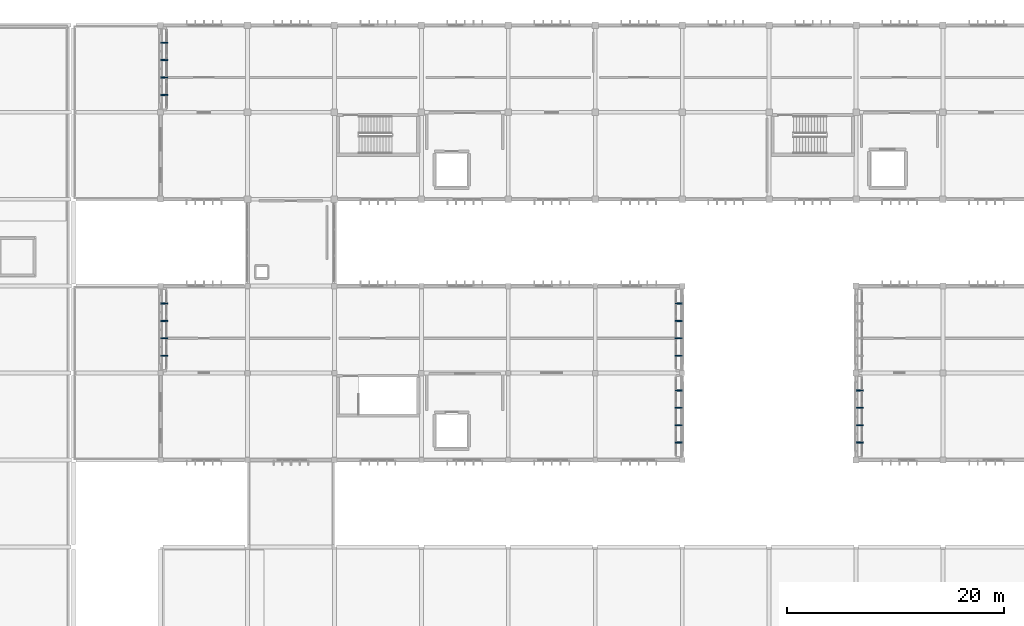
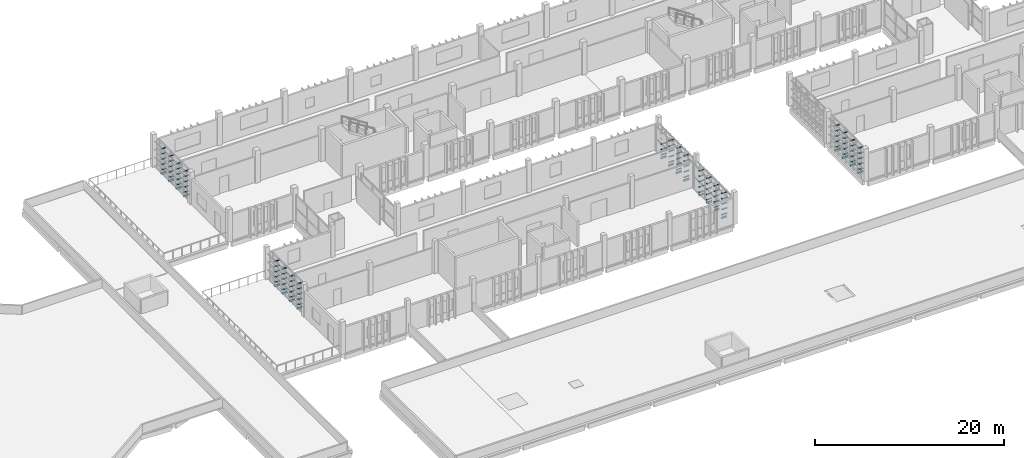
# One storey, part 41 of 48: 118 discrete accessories.
"""IFC4 building model written with IfcOpenShell, lengths in metres."""

from ifc_helpers import new_model, si_unit, direction, frame, origin, origin_2d, place, context, subcontext, project, spatial, rectangle, extrude, material, type_object, element, save


model = new_model("IFC4")

# Units and contexts
model_context = context("Model", 3, precision=1e-05, world=origin(), true_north=direction((0.0, 1.0)))
body_context = subcontext(model_context, "Body", "Model", "MODEL_VIEW")
ifc_project = project(units=[si_unit("LENGTHUNIT", "METRE"), si_unit("AREAUNIT", "SQUARE_METRE"), si_unit("VOLUMEUNIT", "CUBIC_METRE"), si_unit("PLANEANGLEUNIT", "RADIAN"), si_unit("MASSUNIT", "GRAM", prefix="KILO")], contexts=[model_context])

# Site, building, storey
site_placement = place(None, origin())
site = spatial("IfcSite", under=ifc_project, at=site_placement, CompositionType="ELEMENT")
building_placement = place(site_placement, origin())
building = spatial("IfcBuilding", under=site, at=building_placement, Name="Jelvoka-Kovrelna Polytechnic", CompositionType="ELEMENT")
storey_placement = place(building_placement, frame((0.0, 0.0, 22.199951171875)))
storey = spatial("IfcBuildingStorey", under=building, at=storey_placement, Name="L06", CompositionType="ELEMENT", Elevation=22.199951171875)

# Discrete accessories
ifc_material = material(Name="Structural steel S355JR", Category="steel")
discrete_accessory_type = type_object("IfcDiscreteAccessoryType", Name="Bracket_Outrigger_S355", PredefinedType="BRACKET", material=ifc_material)
discrete_accessory_1_placement = place(storey_placement, frame((64.320068359375, 41.60009765625, 0.340087890625), z_axis=(0.0, 0.0, 1.0), x_axis=(1.0, 0.0, 0.0)))
element("IfcDiscreteAccessory", 1, at=discrete_accessory_1_placement, inside=storey, type_object=discrete_accessory_type, Name="L06 screen outrigger tie bracket BRKM-PLT-SCR-0361", PredefinedType="BRACKET", context=body_context, shape_type="SweptSolid", body=[
    extrude(rectangle(XDim=0.639892578125, YDim=0.080078125, at=origin_2d()), origin(), (0.0, 0.0, 1.0), 0.080078125),
])
discrete_accessory_2_placement = place(storey_placement, frame((64.340087890625, 41.60009765625, -0.199951171875), z_axis=(0.0, 0.0, 1.0), x_axis=(1.0, 0.0, 0.0)))
element("IfcDiscreteAccessory", 2, at=discrete_accessory_2_placement, inside=storey, type_object=discrete_accessory_type, Name="L06 screen outrigger tie bracket BRK-PLT-SCR-0361", PredefinedType="BRACKET", context=body_context, shape_type="SweptSolid", body=[
    extrude(rectangle(XDim=0.679931640625, YDim=0.1201171875, at=origin_2d()), origin(), (0.0, 0.0, 1.0), 0.239990234375),
])
for number, where, z_axis, x_axis, name in (
    (3, (64.320068359375, 41.60009765625, 1.017578125), (0.0, 0.0, 1.0), (1.0, 0.0, 0.0), "L06 screen outrigger tie bracket BRKM-PLT-SCR-0362"),
    (4, (64.320068359375, 41.60009765625, 1.695068359375), (0.0, 0.0, 1.0), (1.0, 0.0, 0.0), "L06 screen outrigger tie bracket BRKM-PLT-SCR-0363"),
    (5, (64.320068359375, 41.60009765625, 2.37255859375), (0.0, 0.0, 1.0), (1.0, 0.0, 0.0), "L06 screen outrigger tie bracket BRKM-PLT-SCR-0364"),
    (6, (64.320068359375, 41.60009765625, 3.050048828125), (0.0, 0.0, 1.0), (1.0, 0.0, 0.0), "L06 screen outrigger tie bracket BRKM-PLT-SCR-0365"),
    (7, (64.320068359375, 43.199951171875, 0.340087890625), (0.0, 0.0, 1.0), (1.0, 0.0, 0.0), "L06 screen outrigger tie bracket BRKM-PLT-SCR-0366"),
):
    element("IfcDiscreteAccessory", number, at=place(storey_placement, frame(where, z_axis=z_axis, x_axis=x_axis)), inside=storey, type_object=discrete_accessory_type, Name=name, PredefinedType="BRACKET", context=body_context, shape_type="SweptSolid", body=[
        extrude(rectangle(XDim=0.639892578125, YDim=0.080078125, at=origin_2d()), origin(), (0.0, 0.0, 1.0), 0.080078125),
    ])
discrete_accessory_3_placement = place(storey_placement, frame((64.340087890625, 43.199951171875, -0.199951171875), z_axis=(0.0, 0.0, 1.0), x_axis=(1.0, 0.0, 0.0)))
element("IfcDiscreteAccessory", 8, at=discrete_accessory_3_placement, inside=storey, type_object=discrete_accessory_type, Name="L06 screen outrigger tie bracket BRK-PLT-SCR-0366", PredefinedType="BRACKET", context=body_context, shape_type="SweptSolid", body=[
    extrude(rectangle(XDim=0.679931640625, YDim=0.1201171875, at=origin_2d()), origin(), (0.0, 0.0, 1.0), 0.239990234375),
])
for number, where, z_axis, x_axis, name in (
    (9, (64.320068359375, 43.199951171875, 1.017578125), (0.0, 0.0, 1.0), (1.0, 0.0, 0.0), "L06 screen outrigger tie bracket BRKM-PLT-SCR-0367"),
    (10, (64.320068359375, 43.199951171875, 1.695068359375), (0.0, 0.0, 1.0), (1.0, 0.0, 0.0), "L06 screen outrigger tie bracket BRKM-PLT-SCR-0368"),
    (11, (64.320068359375, 43.199951171875, 2.37255859375), (0.0, 0.0, 1.0), (1.0, 0.0, 0.0), "L06 screen outrigger tie bracket BRKM-PLT-SCR-0369"),
    (12, (64.320068359375, 43.199951171875, 3.050048828125), (0.0, 0.0, 1.0), (1.0, 0.0, 0.0), "L06 screen outrigger tie bracket BRKM-PLT-SCR-0370"),
    (13, (64.320068359375, 44.800048828125, 0.340087890625), (0.0, 0.0, 1.0), (1.0, 0.0, 0.0), "L06 screen outrigger tie bracket BRKM-PLT-SCR-0371"),
):
    element("IfcDiscreteAccessory", number, at=place(storey_placement, frame(where, z_axis=z_axis, x_axis=x_axis)), inside=storey, type_object=discrete_accessory_type, Name=name, PredefinedType="BRACKET", context=body_context, shape_type="SweptSolid", body=[
        extrude(rectangle(XDim=0.639892578125, YDim=0.080078125, at=origin_2d()), origin(), (0.0, 0.0, 1.0), 0.080078125),
    ])
discrete_accessory_4_placement = place(storey_placement, frame((64.340087890625, 44.800048828125, -0.199951171875), z_axis=(0.0, 0.0, 1.0), x_axis=(1.0, 0.0, 0.0)))
element("IfcDiscreteAccessory", 14, at=discrete_accessory_4_placement, inside=storey, type_object=discrete_accessory_type, Name="L06 screen outrigger tie bracket BRK-PLT-SCR-0371", PredefinedType="BRACKET", context=body_context, shape_type="SweptSolid", body=[
    extrude(rectangle(XDim=0.679931640625, YDim=0.1201171875, at=origin_2d()), origin(), (0.0, 0.0, 1.0), 0.239990234375),
])
for number, where, z_axis, x_axis, name in (
    (15, (64.320068359375, 44.800048828125, 1.017578125), (0.0, 0.0, 1.0), (1.0, 0.0, 0.0), "L06 screen outrigger tie bracket BRKM-PLT-SCR-0372"),
    (16, (64.320068359375, 44.800048828125, 1.695068359375), (0.0, 0.0, 1.0), (1.0, 0.0, 0.0), "L06 screen outrigger tie bracket BRKM-PLT-SCR-0373"),
    (17, (64.320068359375, 44.800048828125, 2.37255859375), (0.0, 0.0, 1.0), (1.0, 0.0, 0.0), "L06 screen outrigger tie bracket BRKM-PLT-SCR-0374"),
    (18, (64.320068359375, 44.800048828125, 3.050048828125), (0.0, 0.0, 1.0), (1.0, 0.0, 0.0), "L06 screen outrigger tie bracket BRKM-PLT-SCR-0375"),
    (19, (64.320068359375, 46.39990234375, 0.340087890625), (0.0, 0.0, 1.0), (1.0, 0.0, 0.0), "L06 screen outrigger tie bracket BRKM-PLT-SCR-0376"),
):
    element("IfcDiscreteAccessory", number, at=place(storey_placement, frame(where, z_axis=z_axis, x_axis=x_axis)), inside=storey, type_object=discrete_accessory_type, Name=name, PredefinedType="BRACKET", context=body_context, shape_type="SweptSolid", body=[
        extrude(rectangle(XDim=0.639892578125, YDim=0.080078125, at=origin_2d()), origin(), (0.0, 0.0, 1.0), 0.080078125),
    ])
discrete_accessory_5_placement = place(storey_placement, frame((64.340087890625, 46.39990234375, -0.199951171875), z_axis=(0.0, 0.0, 1.0), x_axis=(1.0, 0.0, 0.0)))
element("IfcDiscreteAccessory", 20, at=discrete_accessory_5_placement, inside=storey, type_object=discrete_accessory_type, Name="L06 screen outrigger tie bracket BRK-PLT-SCR-0376", PredefinedType="BRACKET", context=body_context, shape_type="SweptSolid", body=[
    extrude(rectangle(XDim=0.679931640625, YDim=0.1201171875, at=origin_2d()), origin(), (0.0, 0.0, 1.0), 0.239990234375),
])
for number, where, z_axis, x_axis, name in (
    (21, (64.320068359375, 46.39990234375, 1.017578125), (0.0, 0.0, 1.0), (1.0, 0.0, 0.0), "L06 screen outrigger tie bracket BRKM-PLT-SCR-0377"),
    (22, (64.320068359375, 46.39990234375, 1.695068359375), (0.0, 0.0, 1.0), (1.0, 0.0, 0.0), "L06 screen outrigger tie bracket BRKM-PLT-SCR-0378"),
    (23, (64.320068359375, 46.39990234375, 2.37255859375), (0.0, 0.0, 1.0), (1.0, 0.0, 0.0), "L06 screen outrigger tie bracket BRKM-PLT-SCR-0379"),
    (24, (64.320068359375, 46.39990234375, 3.050048828125), (0.0, 0.0, 1.0), (1.0, 0.0, 0.0), "L06 screen outrigger tie bracket BRKM-PLT-SCR-0380"),
    (25, (111.679931640625, 33.60009765625, 0.280029296875), (0.0, 0.0, 1.0), (1.0, 0.0, 0.0), "L06 screen outrigger tie bracket BRKM-PLT-SCR-0381"),
):
    element("IfcDiscreteAccessory", number, at=place(storey_placement, frame(where, z_axis=z_axis, x_axis=x_axis)), inside=storey, type_object=discrete_accessory_type, Name=name, PredefinedType="BRACKET", context=body_context, shape_type="SweptSolid", body=[
        extrude(rectangle(XDim=0.639892578125, YDim=0.080078125, at=origin_2d()), origin(), (0.0, 0.0, 1.0), 0.080078125),
    ])
discrete_accessory_6_placement = place(storey_placement, frame((111.659912109375, 33.60009765625, -0.199951171875), z_axis=(0.0, 0.0, 1.0), x_axis=(1.0, 0.0, 0.0)))
element("IfcDiscreteAccessory", 26, at=discrete_accessory_6_placement, inside=storey, type_object=discrete_accessory_type, Name="L06 screen outrigger tie bracket BRK-PLT-SCR-0381", PredefinedType="BRACKET", context=body_context, shape_type="SweptSolid", body=[
    extrude(rectangle(XDim=0.679931640625, YDim=0.1201171875, at=origin_2d()), origin(), (0.0, 0.0, 1.0), 0.239990234375),
])
for number, where, z_axis, x_axis, name in (
    (27, (111.679931640625, 33.60009765625, 0.972412109375), (0.0, 0.0, 1.0), (1.0, 0.0, 0.0), "L06 screen outrigger tie bracket BRKM-PLT-SCR-0382"),
    (28, (111.679931640625, 33.60009765625, 1.6650390625), (0.0, 0.0, 1.0), (1.0, 0.0, 0.0), "L06 screen outrigger tie bracket BRKM-PLT-SCR-0383"),
    (29, (111.679931640625, 33.60009765625, 2.357421875), (0.0, 0.0, 1.0), (1.0, 0.0, 0.0), "L06 screen outrigger tie bracket BRKM-PLT-SCR-0384"),
    (30, (111.679931640625, 33.60009765625, 3.050048828125), (0.0, 0.0, 1.0), (1.0, 0.0, 0.0), "L06 screen outrigger tie bracket BRKM-PLT-SCR-0385"),
    (31, (111.679931640625, 35.199951171875, 0.280029296875), (0.0, 0.0, 1.0), (1.0, 0.0, 0.0), "L06 screen outrigger tie bracket BRKM-PLT-SCR-0386"),
):
    element("IfcDiscreteAccessory", number, at=place(storey_placement, frame(where, z_axis=z_axis, x_axis=x_axis)), inside=storey, type_object=discrete_accessory_type, Name=name, PredefinedType="BRACKET", context=body_context, shape_type="SweptSolid", body=[
        extrude(rectangle(XDim=0.639892578125, YDim=0.080078125, at=origin_2d()), origin(), (0.0, 0.0, 1.0), 0.080078125),
    ])
discrete_accessory_7_placement = place(storey_placement, frame((111.659912109375, 35.199951171875, -0.199951171875), z_axis=(0.0, 0.0, 1.0), x_axis=(1.0, 0.0, 0.0)))
element("IfcDiscreteAccessory", 32, at=discrete_accessory_7_placement, inside=storey, type_object=discrete_accessory_type, Name="L06 screen outrigger tie bracket BRK-PLT-SCR-0386", PredefinedType="BRACKET", context=body_context, shape_type="SweptSolid", body=[
    extrude(rectangle(XDim=0.679931640625, YDim=0.1201171875, at=origin_2d()), origin(), (0.0, 0.0, 1.0), 0.239990234375),
])
for number, where, z_axis, x_axis, name in (
    (33, (111.679931640625, 35.199951171875, 0.972412109375), (0.0, 0.0, 1.0), (1.0, 0.0, 0.0), "L06 screen outrigger tie bracket BRKM-PLT-SCR-0387"),
    (34, (111.679931640625, 35.199951171875, 1.6650390625), (0.0, 0.0, 1.0), (1.0, 0.0, 0.0), "L06 screen outrigger tie bracket BRKM-PLT-SCR-0388"),
    (35, (111.679931640625, 35.199951171875, 2.357421875), (0.0, 0.0, 1.0), (1.0, 0.0, 0.0), "L06 screen outrigger tie bracket BRKM-PLT-SCR-0389"),
    (36, (111.679931640625, 35.199951171875, 3.050048828125), (0.0, 0.0, 1.0), (1.0, 0.0, 0.0), "L06 screen outrigger tie bracket BRKM-PLT-SCR-0390"),
    (37, (111.679931640625, 36.800048828125, 0.280029296875), (0.0, 0.0, 1.0), (1.0, 0.0, 0.0), "L06 screen outrigger tie bracket BRKM-PLT-SCR-0391"),
):
    element("IfcDiscreteAccessory", number, at=place(storey_placement, frame(where, z_axis=z_axis, x_axis=x_axis)), inside=storey, type_object=discrete_accessory_type, Name=name, PredefinedType="BRACKET", context=body_context, shape_type="SweptSolid", body=[
        extrude(rectangle(XDim=0.639892578125, YDim=0.080078125, at=origin_2d()), origin(), (0.0, 0.0, 1.0), 0.080078125),
    ])
discrete_accessory_8_placement = place(storey_placement, frame((111.659912109375, 36.800048828125, -0.199951171875), z_axis=(0.0, 0.0, 1.0), x_axis=(1.0, 0.0, 0.0)))
element("IfcDiscreteAccessory", 38, at=discrete_accessory_8_placement, inside=storey, type_object=discrete_accessory_type, Name="L06 screen outrigger tie bracket BRK-PLT-SCR-0391", PredefinedType="BRACKET", context=body_context, shape_type="SweptSolid", body=[
    extrude(rectangle(XDim=0.679931640625, YDim=0.1201171875, at=origin_2d()), origin(), (0.0, 0.0, 1.0), 0.239990234375),
])
for number, where, z_axis, x_axis, name in (
    (39, (111.679931640625, 36.800048828125, 0.972412109375), (0.0, 0.0, 1.0), (1.0, 0.0, 0.0), "L06 screen outrigger tie bracket BRKM-PLT-SCR-0392"),
    (40, (111.679931640625, 36.800048828125, 1.6650390625), (0.0, 0.0, 1.0), (1.0, 0.0, 0.0), "L06 screen outrigger tie bracket BRKM-PLT-SCR-0393"),
    (41, (111.679931640625, 36.800048828125, 2.357421875), (0.0, 0.0, 1.0), (1.0, 0.0, 0.0), "L06 screen outrigger tie bracket BRKM-PLT-SCR-0394"),
    (42, (111.679931640625, 36.800048828125, 3.050048828125), (0.0, 0.0, 1.0), (1.0, 0.0, 0.0), "L06 screen outrigger tie bracket BRKM-PLT-SCR-0395"),
    (43, (111.679931640625, 38.39990234375, 0.280029296875), (0.0, 0.0, 1.0), (1.0, 0.0, 0.0), "L06 screen outrigger tie bracket BRKM-PLT-SCR-0396"),
):
    element("IfcDiscreteAccessory", number, at=place(storey_placement, frame(where, z_axis=z_axis, x_axis=x_axis)), inside=storey, type_object=discrete_accessory_type, Name=name, PredefinedType="BRACKET", context=body_context, shape_type="SweptSolid", body=[
        extrude(rectangle(XDim=0.639892578125, YDim=0.080078125, at=origin_2d()), origin(), (0.0, 0.0, 1.0), 0.080078125),
    ])
discrete_accessory_9_placement = place(storey_placement, frame((111.659912109375, 38.39990234375, -0.199951171875), z_axis=(0.0, 0.0, 1.0), x_axis=(1.0, 0.0, 0.0)))
element("IfcDiscreteAccessory", 44, at=discrete_accessory_9_placement, inside=storey, type_object=discrete_accessory_type, Name="L06 screen outrigger tie bracket BRK-PLT-SCR-0396", PredefinedType="BRACKET", context=body_context, shape_type="SweptSolid", body=[
    extrude(rectangle(XDim=0.679931640625, YDim=0.1201171875, at=origin_2d()), origin(), (0.0, 0.0, 1.0), 0.239990234375),
])
for number, where, z_axis, x_axis, name in (
    (45, (111.679931640625, 38.39990234375, 0.972412109375), (0.0, 0.0, 1.0), (1.0, 0.0, 0.0), "L06 screen outrigger tie bracket BRKM-PLT-SCR-0397"),
    (46, (111.679931640625, 38.39990234375, 1.6650390625), (0.0, 0.0, 1.0), (1.0, 0.0, 0.0), "L06 screen outrigger tie bracket BRKM-PLT-SCR-0398"),
    (47, (111.679931640625, 38.39990234375, 2.357421875), (0.0, 0.0, 1.0), (1.0, 0.0, 0.0), "L06 screen outrigger tie bracket BRKM-PLT-SCR-0399"),
    (48, (111.679931640625, 38.39990234375, 3.050048828125), (0.0, 0.0, 1.0), (1.0, 0.0, 0.0), "L06 screen outrigger tie bracket BRKM-PLT-SCR-0400"),
    (49, (111.679931640625, 41.60009765625, 0.280029296875), (0.0, 0.0, 1.0), (1.0, 0.0, 0.0), "L06 screen outrigger tie bracket BRKM-PLT-SCR-0401"),
):
    element("IfcDiscreteAccessory", number, at=place(storey_placement, frame(where, z_axis=z_axis, x_axis=x_axis)), inside=storey, type_object=discrete_accessory_type, Name=name, PredefinedType="BRACKET", context=body_context, shape_type="SweptSolid", body=[
        extrude(rectangle(XDim=0.639892578125, YDim=0.080078125, at=origin_2d()), origin(), (0.0, 0.0, 1.0), 0.080078125),
    ])
discrete_accessory_10_placement = place(storey_placement, frame((111.659912109375, 41.60009765625, -0.199951171875), z_axis=(0.0, 0.0, 1.0), x_axis=(1.0, 0.0, 0.0)))
element("IfcDiscreteAccessory", 50, at=discrete_accessory_10_placement, inside=storey, type_object=discrete_accessory_type, Name="L06 screen outrigger tie bracket BRK-PLT-SCR-0401", PredefinedType="BRACKET", context=body_context, shape_type="SweptSolid", body=[
    extrude(rectangle(XDim=0.679931640625, YDim=0.1201171875, at=origin_2d()), origin(), (0.0, 0.0, 1.0), 0.239990234375),
])
for number, where, z_axis, x_axis, name in (
    (51, (111.679931640625, 41.60009765625, 0.972412109375), (0.0, 0.0, 1.0), (1.0, 0.0, 0.0), "L06 screen outrigger tie bracket BRKM-PLT-SCR-0402"),
    (52, (111.679931640625, 41.60009765625, 1.6650390625), (0.0, 0.0, 1.0), (1.0, 0.0, 0.0), "L06 screen outrigger tie bracket BRKM-PLT-SCR-0403"),
    (53, (111.679931640625, 41.60009765625, 2.357421875), (0.0, 0.0, 1.0), (1.0, 0.0, 0.0), "L06 screen outrigger tie bracket BRKM-PLT-SCR-0404"),
    (54, (111.679931640625, 41.60009765625, 3.050048828125), (0.0, 0.0, 1.0), (1.0, 0.0, 0.0), "L06 screen outrigger tie bracket BRKM-PLT-SCR-0405"),
    (55, (111.679931640625, 43.199951171875, 0.280029296875), (0.0, 0.0, 1.0), (1.0, 0.0, 0.0), "L06 screen outrigger tie bracket BRKM-PLT-SCR-0406"),
):
    element("IfcDiscreteAccessory", number, at=place(storey_placement, frame(where, z_axis=z_axis, x_axis=x_axis)), inside=storey, type_object=discrete_accessory_type, Name=name, PredefinedType="BRACKET", context=body_context, shape_type="SweptSolid", body=[
        extrude(rectangle(XDim=0.639892578125, YDim=0.080078125, at=origin_2d()), origin(), (0.0, 0.0, 1.0), 0.080078125),
    ])
discrete_accessory_11_placement = place(storey_placement, frame((111.659912109375, 43.199951171875, -0.199951171875), z_axis=(0.0, 0.0, 1.0), x_axis=(1.0, 0.0, 0.0)))
element("IfcDiscreteAccessory", 56, at=discrete_accessory_11_placement, inside=storey, type_object=discrete_accessory_type, Name="L06 screen outrigger tie bracket BRK-PLT-SCR-0406", PredefinedType="BRACKET", context=body_context, shape_type="SweptSolid", body=[
    extrude(rectangle(XDim=0.679931640625, YDim=0.1201171875, at=origin_2d()), origin(), (0.0, 0.0, 1.0), 0.239990234375),
])
for number, where, z_axis, x_axis, name in (
    (57, (111.679931640625, 43.199951171875, 0.972412109375), (0.0, 0.0, 1.0), (1.0, 0.0, 0.0), "L06 screen outrigger tie bracket BRKM-PLT-SCR-0407"),
    (58, (111.679931640625, 43.199951171875, 1.6650390625), (0.0, 0.0, 1.0), (1.0, 0.0, 0.0), "L06 screen outrigger tie bracket BRKM-PLT-SCR-0408"),
    (59, (111.679931640625, 43.199951171875, 2.357421875), (0.0, 0.0, 1.0), (1.0, 0.0, 0.0), "L06 screen outrigger tie bracket BRKM-PLT-SCR-0409"),
    (60, (111.679931640625, 43.199951171875, 3.050048828125), (0.0, 0.0, 1.0), (1.0, 0.0, 0.0), "L06 screen outrigger tie bracket BRKM-PLT-SCR-0410"),
    (61, (111.679931640625, 44.800048828125, 0.280029296875), (0.0, 0.0, 1.0), (1.0, 0.0, 0.0), "L06 screen outrigger tie bracket BRKM-PLT-SCR-0411"),
):
    element("IfcDiscreteAccessory", number, at=place(storey_placement, frame(where, z_axis=z_axis, x_axis=x_axis)), inside=storey, type_object=discrete_accessory_type, Name=name, PredefinedType="BRACKET", context=body_context, shape_type="SweptSolid", body=[
        extrude(rectangle(XDim=0.639892578125, YDim=0.080078125, at=origin_2d()), origin(), (0.0, 0.0, 1.0), 0.080078125),
    ])
discrete_accessory_12_placement = place(storey_placement, frame((111.659912109375, 44.800048828125, -0.199951171875), z_axis=(0.0, 0.0, 1.0), x_axis=(1.0, 0.0, 0.0)))
element("IfcDiscreteAccessory", 62, at=discrete_accessory_12_placement, inside=storey, type_object=discrete_accessory_type, Name="L06 screen outrigger tie bracket BRK-PLT-SCR-0411", PredefinedType="BRACKET", context=body_context, shape_type="SweptSolid", body=[
    extrude(rectangle(XDim=0.679931640625, YDim=0.1201171875, at=origin_2d()), origin(), (0.0, 0.0, 1.0), 0.239990234375),
])
for number, where, z_axis, x_axis, name in (
    (63, (111.679931640625, 44.800048828125, 0.972412109375), (0.0, 0.0, 1.0), (1.0, 0.0, 0.0), "L06 screen outrigger tie bracket BRKM-PLT-SCR-0412"),
    (64, (111.679931640625, 44.800048828125, 1.6650390625), (0.0, 0.0, 1.0), (1.0, 0.0, 0.0), "L06 screen outrigger tie bracket BRKM-PLT-SCR-0413"),
    (65, (111.679931640625, 44.800048828125, 2.357421875), (0.0, 0.0, 1.0), (1.0, 0.0, 0.0), "L06 screen outrigger tie bracket BRKM-PLT-SCR-0414"),
    (66, (111.679931640625, 44.800048828125, 3.050048828125), (0.0, 0.0, 1.0), (1.0, 0.0, 0.0), "L06 screen outrigger tie bracket BRKM-PLT-SCR-0415"),
    (67, (111.679931640625, 46.39990234375, 0.280029296875), (0.0, 0.0, 1.0), (1.0, 0.0, 0.0), "L06 screen outrigger tie bracket BRKM-PLT-SCR-0416"),
):
    element("IfcDiscreteAccessory", number, at=place(storey_placement, frame(where, z_axis=z_axis, x_axis=x_axis)), inside=storey, type_object=discrete_accessory_type, Name=name, PredefinedType="BRACKET", context=body_context, shape_type="SweptSolid", body=[
        extrude(rectangle(XDim=0.639892578125, YDim=0.080078125, at=origin_2d()), origin(), (0.0, 0.0, 1.0), 0.080078125),
    ])
discrete_accessory_13_placement = place(storey_placement, frame((111.659912109375, 46.39990234375, -0.199951171875), z_axis=(0.0, 0.0, 1.0), x_axis=(1.0, 0.0, 0.0)))
element("IfcDiscreteAccessory", 68, at=discrete_accessory_13_placement, inside=storey, type_object=discrete_accessory_type, Name="L06 screen outrigger tie bracket BRK-PLT-SCR-0416", PredefinedType="BRACKET", context=body_context, shape_type="SweptSolid", body=[
    extrude(rectangle(XDim=0.679931640625, YDim=0.1201171875, at=origin_2d()), origin(), (0.0, 0.0, 1.0), 0.239990234375),
])
for number, where, z_axis, x_axis, name in (
    (69, (111.679931640625, 46.39990234375, 0.972412109375), (0.0, 0.0, 1.0), (1.0, 0.0, 0.0), "L06 screen outrigger tie bracket BRKM-PLT-SCR-0417"),
    (70, (111.679931640625, 46.39990234375, 1.6650390625), (0.0, 0.0, 1.0), (1.0, 0.0, 0.0), "L06 screen outrigger tie bracket BRKM-PLT-SCR-0418"),
    (71, (128.320068359375, 33.60009765625, 0.280029296875), (0.0, 0.0, 1.0), (1.0, 0.0, 0.0), "L06 screen outrigger tie bracket BRKM-PLT-SCR-0821"),
):
    element("IfcDiscreteAccessory", number, at=place(storey_placement, frame(where, z_axis=z_axis, x_axis=x_axis)), inside=storey, type_object=discrete_accessory_type, Name=name, PredefinedType="BRACKET", context=body_context, shape_type="SweptSolid", body=[
        extrude(rectangle(XDim=0.639892578125, YDim=0.080078125, at=origin_2d()), origin(), (0.0, 0.0, 1.0), 0.080078125),
    ])
discrete_accessory_14_placement = place(storey_placement, frame((128.340087890625, 33.60009765625, -0.199951171875), z_axis=(0.0, 0.0, 1.0), x_axis=(1.0, 0.0, 0.0)))
element("IfcDiscreteAccessory", 72, at=discrete_accessory_14_placement, inside=storey, type_object=discrete_accessory_type, Name="L06 screen outrigger tie bracket BRK-PLT-SCR-0821", PredefinedType="BRACKET", context=body_context, shape_type="SweptSolid", body=[
    extrude(rectangle(XDim=0.679931640625, YDim=0.1201171875, at=origin_2d()), origin(), (0.0, 0.0, 1.0), 0.239990234375),
])
for number, where, z_axis, x_axis, name in (
    (73, (128.320068359375, 33.60009765625, 0.972412109375), (0.0, 0.0, 1.0), (1.0, 0.0, 0.0), "L06 screen outrigger tie bracket BRKM-PLT-SCR-0822"),
    (74, (128.320068359375, 33.60009765625, 1.6650390625), (0.0, 0.0, 1.0), (1.0, 0.0, 0.0), "L06 screen outrigger tie bracket BRKM-PLT-SCR-0823"),
    (75, (128.320068359375, 33.60009765625, 2.357421875), (0.0, 0.0, 1.0), (1.0, 0.0, 0.0), "L06 screen outrigger tie bracket BRKM-PLT-SCR-0824"),
    (76, (128.320068359375, 33.60009765625, 3.050048828125), (0.0, 0.0, 1.0), (1.0, 0.0, 0.0), "L06 screen outrigger tie bracket BRKM-PLT-SCR-0825"),
    (77, (128.320068359375, 35.199951171875, 0.280029296875), (0.0, 0.0, 1.0), (1.0, 0.0, 0.0), "L06 screen outrigger tie bracket BRKM-PLT-SCR-0826"),
):
    element("IfcDiscreteAccessory", number, at=place(storey_placement, frame(where, z_axis=z_axis, x_axis=x_axis)), inside=storey, type_object=discrete_accessory_type, Name=name, PredefinedType="BRACKET", context=body_context, shape_type="SweptSolid", body=[
        extrude(rectangle(XDim=0.639892578125, YDim=0.080078125, at=origin_2d()), origin(), (0.0, 0.0, 1.0), 0.080078125),
    ])
discrete_accessory_15_placement = place(storey_placement, frame((128.340087890625, 35.199951171875, -0.199951171875), z_axis=(0.0, 0.0, 1.0), x_axis=(1.0, 0.0, 0.0)))
element("IfcDiscreteAccessory", 78, at=discrete_accessory_15_placement, inside=storey, type_object=discrete_accessory_type, Name="L06 screen outrigger tie bracket BRK-PLT-SCR-0826", PredefinedType="BRACKET", context=body_context, shape_type="SweptSolid", body=[
    extrude(rectangle(XDim=0.679931640625, YDim=0.1201171875, at=origin_2d()), origin(), (0.0, 0.0, 1.0), 0.239990234375),
])
for number, where, z_axis, x_axis, name in (
    (79, (128.320068359375, 35.199951171875, 0.972412109375), (0.0, 0.0, 1.0), (1.0, 0.0, 0.0), "L06 screen outrigger tie bracket BRKM-PLT-SCR-0827"),
    (80, (128.320068359375, 35.199951171875, 1.6650390625), (0.0, 0.0, 1.0), (1.0, 0.0, 0.0), "L06 screen outrigger tie bracket BRKM-PLT-SCR-0828"),
    (81, (128.320068359375, 35.199951171875, 2.357421875), (0.0, 0.0, 1.0), (1.0, 0.0, 0.0), "L06 screen outrigger tie bracket BRKM-PLT-SCR-0829"),
    (82, (128.320068359375, 35.199951171875, 3.050048828125), (0.0, 0.0, 1.0), (1.0, 0.0, 0.0), "L06 screen outrigger tie bracket BRKM-PLT-SCR-0830"),
    (83, (128.320068359375, 36.800048828125, 0.280029296875), (0.0, 0.0, 1.0), (1.0, 0.0, 0.0), "L06 screen outrigger tie bracket BRKM-PLT-SCR-0831"),
):
    element("IfcDiscreteAccessory", number, at=place(storey_placement, frame(where, z_axis=z_axis, x_axis=x_axis)), inside=storey, type_object=discrete_accessory_type, Name=name, PredefinedType="BRACKET", context=body_context, shape_type="SweptSolid", body=[
        extrude(rectangle(XDim=0.639892578125, YDim=0.080078125, at=origin_2d()), origin(), (0.0, 0.0, 1.0), 0.080078125),
    ])
discrete_accessory_16_placement = place(storey_placement, frame((128.340087890625, 36.800048828125, -0.199951171875), z_axis=(0.0, 0.0, 1.0), x_axis=(1.0, 0.0, 0.0)))
element("IfcDiscreteAccessory", 84, at=discrete_accessory_16_placement, inside=storey, type_object=discrete_accessory_type, Name="L06 screen outrigger tie bracket BRK-PLT-SCR-0831", PredefinedType="BRACKET", context=body_context, shape_type="SweptSolid", body=[
    extrude(rectangle(XDim=0.679931640625, YDim=0.1201171875, at=origin_2d()), origin(), (0.0, 0.0, 1.0), 0.239990234375),
])
for number, where, z_axis, x_axis, name in (
    (85, (128.320068359375, 36.800048828125, 0.972412109375), (0.0, 0.0, 1.0), (1.0, 0.0, 0.0), "L06 screen outrigger tie bracket BRKM-PLT-SCR-0832"),
    (86, (128.320068359375, 36.800048828125, 1.6650390625), (0.0, 0.0, 1.0), (1.0, 0.0, 0.0), "L06 screen outrigger tie bracket BRKM-PLT-SCR-0833"),
    (87, (128.320068359375, 36.800048828125, 2.357421875), (0.0, 0.0, 1.0), (1.0, 0.0, 0.0), "L06 screen outrigger tie bracket BRKM-PLT-SCR-0834"),
    (88, (128.320068359375, 36.800048828125, 3.050048828125), (0.0, 0.0, 1.0), (1.0, 0.0, 0.0), "L06 screen outrigger tie bracket BRKM-PLT-SCR-0835"),
    (89, (128.320068359375, 38.39990234375, 0.280029296875), (0.0, 0.0, 1.0), (1.0, 0.0, 0.0), "L06 screen outrigger tie bracket BRKM-PLT-SCR-0836"),
):
    element("IfcDiscreteAccessory", number, at=place(storey_placement, frame(where, z_axis=z_axis, x_axis=x_axis)), inside=storey, type_object=discrete_accessory_type, Name=name, PredefinedType="BRACKET", context=body_context, shape_type="SweptSolid", body=[
        extrude(rectangle(XDim=0.639892578125, YDim=0.080078125, at=origin_2d()), origin(), (0.0, 0.0, 1.0), 0.080078125),
    ])
discrete_accessory_17_placement = place(storey_placement, frame((128.340087890625, 38.39990234375, -0.199951171875), z_axis=(0.0, 0.0, 1.0), x_axis=(1.0, 0.0, 0.0)))
element("IfcDiscreteAccessory", 90, at=discrete_accessory_17_placement, inside=storey, type_object=discrete_accessory_type, Name="L06 screen outrigger tie bracket BRK-PLT-SCR-0836", PredefinedType="BRACKET", context=body_context, shape_type="SweptSolid", body=[
    extrude(rectangle(XDim=0.679931640625, YDim=0.1201171875, at=origin_2d()), origin(), (0.0, 0.0, 1.0), 0.239990234375),
])
for number, where, z_axis, x_axis, name in (
    (91, (128.320068359375, 38.39990234375, 0.972412109375), (0.0, 0.0, 1.0), (1.0, 0.0, 0.0), "L06 screen outrigger tie bracket BRKM-PLT-SCR-0837"),
    (92, (128.320068359375, 38.39990234375, 1.6650390625), (0.0, 0.0, 1.0), (1.0, 0.0, 0.0), "L06 screen outrigger tie bracket BRKM-PLT-SCR-0838"),
    (93, (128.320068359375, 38.39990234375, 2.357421875), (0.0, 0.0, 1.0), (1.0, 0.0, 0.0), "L06 screen outrigger tie bracket BRKM-PLT-SCR-0839"),
    (94, (128.320068359375, 38.39990234375, 3.050048828125), (0.0, 0.0, 1.0), (1.0, 0.0, 0.0), "L06 screen outrigger tie bracket BRKM-PLT-SCR-0840"),
    (95, (64.320068359375, 65.60009765625, 0.340087890625), (0.0, 0.0, 1.0), (1.0, 0.0, 0.0), "L06 screen outrigger tie bracket BRKM-PLT-SCR-1161"),
):
    element("IfcDiscreteAccessory", number, at=place(storey_placement, frame(where, z_axis=z_axis, x_axis=x_axis)), inside=storey, type_object=discrete_accessory_type, Name=name, PredefinedType="BRACKET", context=body_context, shape_type="SweptSolid", body=[
        extrude(rectangle(XDim=0.639892578125, YDim=0.080078125, at=origin_2d()), origin(), (0.0, 0.0, 1.0), 0.080078125),
    ])
discrete_accessory_18_placement = place(storey_placement, frame((64.340087890625, 65.60009765625, -0.199951171875), z_axis=(0.0, 0.0, 1.0), x_axis=(1.0, 0.0, 0.0)))
element("IfcDiscreteAccessory", 96, at=discrete_accessory_18_placement, inside=storey, type_object=discrete_accessory_type, Name="L06 screen outrigger tie bracket BRK-PLT-SCR-1161", PredefinedType="BRACKET", context=body_context, shape_type="SweptSolid", body=[
    extrude(rectangle(XDim=0.679931640625, YDim=0.1201171875, at=origin_2d()), origin(), (0.0, 0.0, 1.0), 0.239990234375),
])
for number, where, z_axis, x_axis, name in (
    (97, (64.320068359375, 65.60009765625, 1.017578125), (0.0, 0.0, 1.0), (1.0, 0.0, 0.0), "L06 screen outrigger tie bracket BRKM-PLT-SCR-1162"),
    (98, (64.320068359375, 65.60009765625, 1.695068359375), (0.0, 0.0, 1.0), (1.0, 0.0, 0.0), "L06 screen outrigger tie bracket BRKM-PLT-SCR-1163"),
    (99, (64.320068359375, 65.60009765625, 2.37255859375), (0.0, 0.0, 1.0), (1.0, 0.0, 0.0), "L06 screen outrigger tie bracket BRKM-PLT-SCR-1164"),
    (100, (64.320068359375, 65.60009765625, 3.050048828125), (0.0, 0.0, 1.0), (1.0, 0.0, 0.0), "L06 screen outrigger tie bracket BRKM-PLT-SCR-1165"),
    (101, (64.320068359375, 67.199951171875, 0.340087890625), (0.0, 0.0, 1.0), (1.0, 0.0, 0.0), "L06 screen outrigger tie bracket BRKM-PLT-SCR-1166"),
):
    element("IfcDiscreteAccessory", number, at=place(storey_placement, frame(where, z_axis=z_axis, x_axis=x_axis)), inside=storey, type_object=discrete_accessory_type, Name=name, PredefinedType="BRACKET", context=body_context, shape_type="SweptSolid", body=[
        extrude(rectangle(XDim=0.639892578125, YDim=0.080078125, at=origin_2d()), origin(), (0.0, 0.0, 1.0), 0.080078125),
    ])
discrete_accessory_19_placement = place(storey_placement, frame((64.340087890625, 67.199951171875, -0.199951171875), z_axis=(0.0, 0.0, 1.0), x_axis=(1.0, 0.0, 0.0)))
element("IfcDiscreteAccessory", 102, at=discrete_accessory_19_placement, inside=storey, type_object=discrete_accessory_type, Name="L06 screen outrigger tie bracket BRK-PLT-SCR-1166", PredefinedType="BRACKET", context=body_context, shape_type="SweptSolid", body=[
    extrude(rectangle(XDim=0.679931640625, YDim=0.1201171875, at=origin_2d()), origin(), (0.0, 0.0, 1.0), 0.239990234375),
])
for number, where, z_axis, x_axis, name in (
    (103, (64.320068359375, 67.199951171875, 1.017578125), (0.0, 0.0, 1.0), (1.0, 0.0, 0.0), "L06 screen outrigger tie bracket BRKM-PLT-SCR-1167"),
    (104, (64.320068359375, 67.199951171875, 1.695068359375), (0.0, 0.0, 1.0), (1.0, 0.0, 0.0), "L06 screen outrigger tie bracket BRKM-PLT-SCR-1168"),
    (105, (64.320068359375, 67.199951171875, 2.37255859375), (0.0, 0.0, 1.0), (1.0, 0.0, 0.0), "L06 screen outrigger tie bracket BRKM-PLT-SCR-1169"),
    (106, (64.320068359375, 67.199951171875, 3.050048828125), (0.0, 0.0, 1.0), (1.0, 0.0, 0.0), "L06 screen outrigger tie bracket BRKM-PLT-SCR-1170"),
    (107, (64.320068359375, 68.800048828125, 0.340087890625), (0.0, 0.0, 1.0), (1.0, 0.0, 0.0), "L06 screen outrigger tie bracket BRKM-PLT-SCR-1171"),
):
    element("IfcDiscreteAccessory", number, at=place(storey_placement, frame(where, z_axis=z_axis, x_axis=x_axis)), inside=storey, type_object=discrete_accessory_type, Name=name, PredefinedType="BRACKET", context=body_context, shape_type="SweptSolid", body=[
        extrude(rectangle(XDim=0.639892578125, YDim=0.080078125, at=origin_2d()), origin(), (0.0, 0.0, 1.0), 0.080078125),
    ])
discrete_accessory_20_placement = place(storey_placement, frame((64.340087890625, 68.800048828125, -0.199951171875), z_axis=(0.0, 0.0, 1.0), x_axis=(1.0, 0.0, 0.0)))
element("IfcDiscreteAccessory", 108, at=discrete_accessory_20_placement, inside=storey, type_object=discrete_accessory_type, Name="L06 screen outrigger tie bracket BRK-PLT-SCR-1171", PredefinedType="BRACKET", context=body_context, shape_type="SweptSolid", body=[
    extrude(rectangle(XDim=0.679931640625, YDim=0.1201171875, at=origin_2d()), origin(), (0.0, 0.0, 1.0), 0.239990234375),
])
for number, where, z_axis, x_axis, name in (
    (109, (64.320068359375, 68.800048828125, 1.017578125), (0.0, 0.0, 1.0), (1.0, 0.0, 0.0), "L06 screen outrigger tie bracket BRKM-PLT-SCR-1172"),
    (110, (64.320068359375, 68.800048828125, 1.695068359375), (0.0, 0.0, 1.0), (1.0, 0.0, 0.0), "L06 screen outrigger tie bracket BRKM-PLT-SCR-1173"),
    (111, (64.320068359375, 68.800048828125, 2.37255859375), (0.0, 0.0, 1.0), (1.0, 0.0, 0.0), "L06 screen outrigger tie bracket BRKM-PLT-SCR-1174"),
    (112, (64.320068359375, 68.800048828125, 3.050048828125), (0.0, 0.0, 1.0), (1.0, 0.0, 0.0), "L06 screen outrigger tie bracket BRKM-PLT-SCR-1175"),
    (113, (64.320068359375, 70.39990234375, 0.340087890625), (0.0, 0.0, 1.0), (1.0, 0.0, 0.0), "L06 screen outrigger tie bracket BRKM-PLT-SCR-1176"),
):
    element("IfcDiscreteAccessory", number, at=place(storey_placement, frame(where, z_axis=z_axis, x_axis=x_axis)), inside=storey, type_object=discrete_accessory_type, Name=name, PredefinedType="BRACKET", context=body_context, shape_type="SweptSolid", body=[
        extrude(rectangle(XDim=0.639892578125, YDim=0.080078125, at=origin_2d()), origin(), (0.0, 0.0, 1.0), 0.080078125),
    ])
discrete_accessory_21_placement = place(storey_placement, frame((64.340087890625, 70.39990234375, -0.199951171875), z_axis=(0.0, 0.0, 1.0), x_axis=(1.0, 0.0, 0.0)))
element("IfcDiscreteAccessory", 114, at=discrete_accessory_21_placement, inside=storey, type_object=discrete_accessory_type, Name="L06 screen outrigger tie bracket BRK-PLT-SCR-1176", PredefinedType="BRACKET", context=body_context, shape_type="SweptSolid", body=[
    extrude(rectangle(XDim=0.679931640625, YDim=0.1201171875, at=origin_2d()), origin(), (0.0, 0.0, 1.0), 0.239990234375),
])
for number, where, z_axis, x_axis, name in (
    (115, (64.320068359375, 70.39990234375, 1.017578125), (0.0, 0.0, 1.0), (1.0, 0.0, 0.0), "L06 screen outrigger tie bracket BRKM-PLT-SCR-1177"),
    (116, (64.320068359375, 70.39990234375, 1.695068359375), (0.0, 0.0, 1.0), (1.0, 0.0, 0.0), "L06 screen outrigger tie bracket BRKM-PLT-SCR-1178"),
    (117, (64.320068359375, 70.39990234375, 2.37255859375), (0.0, 0.0, 1.0), (1.0, 0.0, 0.0), "L06 screen outrigger tie bracket BRKM-PLT-SCR-1179"),
    (118, (64.320068359375, 70.39990234375, 3.050048828125), (0.0, 0.0, 1.0), (1.0, 0.0, 0.0), "L06 screen outrigger tie bracket BRKM-PLT-SCR-1180"),
):
    element("IfcDiscreteAccessory", number, at=place(storey_placement, frame(where, z_axis=z_axis, x_axis=x_axis)), inside=storey, type_object=discrete_accessory_type, Name=name, PredefinedType="BRACKET", context=body_context, shape_type="SweptSolid", body=[
        extrude(rectangle(XDim=0.639892578125, YDim=0.080078125, at=origin_2d()), origin(), (0.0, 0.0, 1.0), 0.080078125),
    ])

save(model, "model.ifc")
